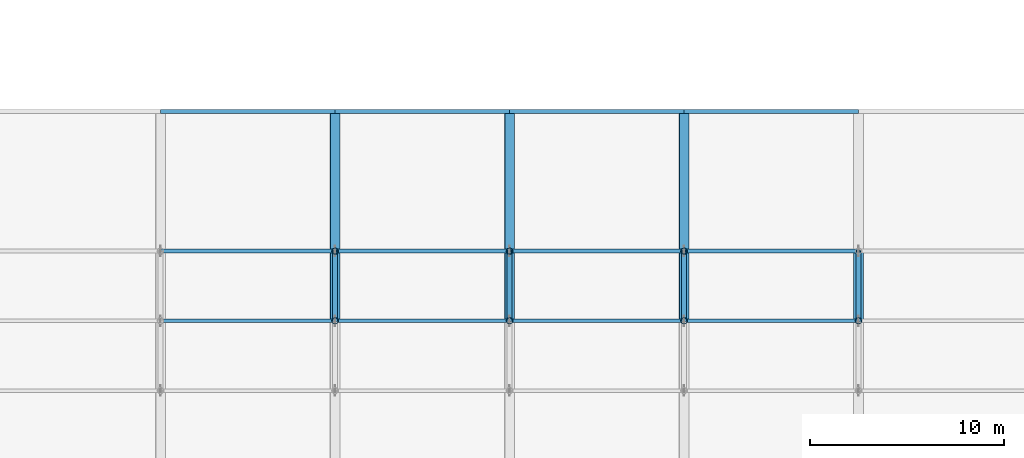
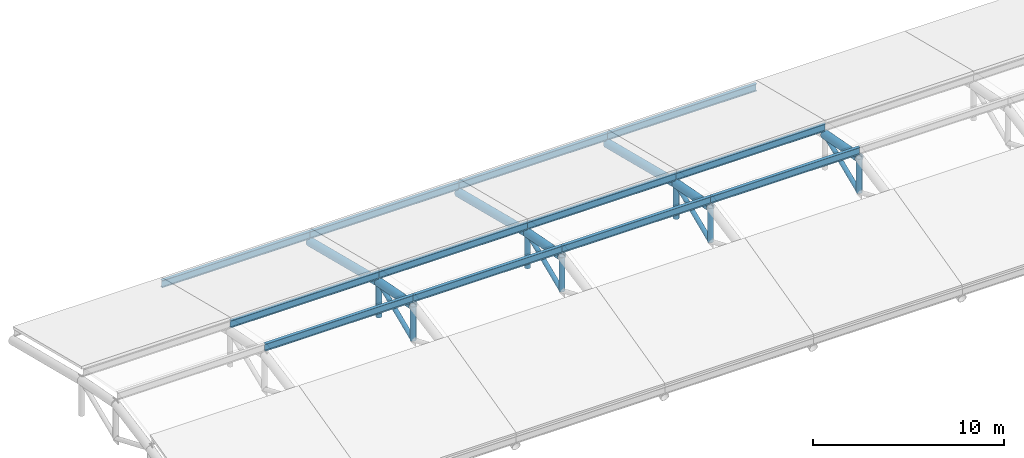
# One storey, part 39 of 52: 30 members.
"""IFC4 building model written with IfcOpenShell, lengths in metres."""

from ifc_helpers import new_model, si_unit, direction, frame, origin, origin_2d, place, context, subcontext, project, spatial, hollow_circle, i_section, extrude, material, material_profile, profile_set, type_object, element, save


model = new_model("IFC4")

# Units and contexts
model_context = context("Model", 3, precision=1e-05, world=origin(), true_north=direction((0.0, 1.0)))
body_context = subcontext(model_context, "Body", "Model", "MODEL_VIEW")
ifc_project = project(units=[si_unit("LENGTHUNIT", "METRE"), si_unit("AREAUNIT", "SQUARE_METRE"), si_unit("VOLUMEUNIT", "CUBIC_METRE"), si_unit("PLANEANGLEUNIT", "RADIAN"), si_unit("MASSUNIT", "GRAM", prefix="KILO")], contexts=[model_context])

# Site, building, storey
site_placement = place(None, origin())
site = spatial("IfcSite", under=ifc_project, at=site_placement, CompositionType="ELEMENT")
building_placement = place(site_placement, origin())
building = spatial("IfcBuilding", under=site, at=building_placement, Name="Celestram Park Convention Centre", CompositionType="ELEMENT")
storey_placement = place(building_placement, frame((0.0, 0.0, 24.300048828125)))
storey = spatial("IfcBuildingStorey", under=building, at=storey_placement, Name="L05", CompositionType="ELEMENT", Elevation=24.300048828125)

# Members
ifc_material_1 = material(Name="Steel ASTM A500 Grade C", Category="steel")
ifc_material_profile_1 = material_profile(ifc_material_1, hollow_circle(Radius=0.136474609375, WallThickness=0.010009765625, at=origin_2d()), Name="CHS273X10")
ifc_profile_set_1 = profile_set([ifc_material_profile_1], Name="Steel ASTM A500 Grade C")
member_type_1 = type_object("IfcMemberType", Name="STR-BRC-CHS273", PredefinedType="BRACE", material=ifc_profile_set_1)
for number, where, z_axis, x_axis, name in (
    (1, (171.0, 140.39990234375, 0.2138671875), (0.0, 0.921654198179, 0.388012292303), (-1.0, 0.0, 0.0), "V2 arch web diagonal"),
    (2, (180.0, 140.39990234375, 0.2138671875), (0.0, 0.921654198179, 0.388012292303), (-1.0, 0.0, 0.0), "V2 arch web diagonal"),
    (3, (189.0, 140.39990234375, 0.2138671875), (0.0, 0.921654198179, 0.388012292303), (-1.0, 0.0, 0.0), "V2 arch web diagonal"),
    (4, (198.0, 140.39990234375, 0.2138671875), (0.0, 0.921654198179, 0.388012292303), (-1.0, 0.0, 0.0), "V2 arch web diagonal"),
):
    element("IfcMember", number, at=place(storey_placement, frame(where, z_axis=z_axis, x_axis=x_axis)), inside=storey, type_object=member_type_1, Name=name, PredefinedType="BRACE", context=body_context, shape_type="SweptSolid", body=[
        extrude(hollow_circle(Radius=0.136474609375, WallThickness=0.010009765625, at=origin_2d()), origin(), (0.0, 0.0, 1.0), 3.906005859375),
    ])
ifc_material_profile_2 = material_profile(ifc_material_1, hollow_circle(Radius=0.25390625, WallThickness=0.01611328125, at=origin_2d()), Name="CHS508X16")
ifc_profile_set_2 = profile_set([ifc_material_profile_2], Name="Steel ASTM A500 Grade C")
member_type_2 = type_object("IfcMemberType", Name="STR-CHD-CHS508", PredefinedType="CHORD", material=ifc_profile_set_2)
member_1_placement = place(storey_placement, frame((171.0, 140.39990234375, 2.4140625), z_axis=(0.0, 0.982396830529, -0.186805961807), x_axis=(-1.0, 0.0, 0.0)))
element("IfcMember", 5, at=member_1_placement, inside=storey, type_object=member_type_2, Name="V2 arch top chord", PredefinedType="CHORD", context=body_context, shape_type="SweptSolid", body=[
    extrude(hollow_circle(Radius=0.25390625, WallThickness=0.01611328125, at=origin_2d()), origin(), (0.0, 0.0, 1.0), 3.66455078125),
])
member_2_placement = place(storey_placement, frame((171.0, 144.0, 1.7294921875), z_axis=(0.0, 0.970179256757, -0.242388551212), x_axis=(-1.0, 0.0, 0.0)))
element("IfcMember", 6, at=member_2_placement, inside=storey, type_object=member_type_2, Name="V2 arch top chord", PredefinedType="CHORD", context=body_context, shape_type="SweptSolid", body=[
    extrude(hollow_circle(Radius=0.25390625, WallThickness=0.01611328125, at=origin_2d()), origin(), (0.0, 0.0, 1.0), 7.421142578125),
])
member_3_placement = place(storey_placement, frame((180.0, 140.39990234375, 2.4140625), z_axis=(0.0, 0.982396830529, -0.186805961807), x_axis=(-1.0, 0.0, 0.0)))
element("IfcMember", 7, at=member_3_placement, inside=storey, type_object=member_type_2, Name="V2 arch top chord", PredefinedType="CHORD", context=body_context, shape_type="SweptSolid", body=[
    extrude(hollow_circle(Radius=0.25390625, WallThickness=0.01611328125, at=origin_2d()), origin(), (0.0, 0.0, 1.0), 3.66455078125),
])
member_4_placement = place(storey_placement, frame((180.0, 144.0, 1.7294921875), z_axis=(0.0, 0.970179256757, -0.242388551212), x_axis=(-1.0, 0.0, 0.0)))
element("IfcMember", 8, at=member_4_placement, inside=storey, type_object=member_type_2, Name="V2 arch top chord", PredefinedType="CHORD", context=body_context, shape_type="SweptSolid", body=[
    extrude(hollow_circle(Radius=0.25390625, WallThickness=0.01611328125, at=origin_2d()), origin(), (0.0, 0.0, 1.0), 7.421142578125),
])
member_5_placement = place(storey_placement, frame((189.0, 140.39990234375, 2.4140625), z_axis=(0.0, 0.982396830529, -0.186805961807), x_axis=(-1.0, 0.0, 0.0)))
element("IfcMember", 9, at=member_5_placement, inside=storey, type_object=member_type_2, Name="V2 arch top chord", PredefinedType="CHORD", context=body_context, shape_type="SweptSolid", body=[
    extrude(hollow_circle(Radius=0.25390625, WallThickness=0.01611328125, at=origin_2d()), origin(), (0.0, 0.0, 1.0), 3.66455078125),
])
member_6_placement = place(storey_placement, frame((189.0, 144.0, 1.7294921875), z_axis=(0.0, 0.970179256757, -0.242388551212), x_axis=(-1.0, 0.0, 0.0)))
element("IfcMember", 10, at=member_6_placement, inside=storey, type_object=member_type_2, Name="V2 arch top chord", PredefinedType="CHORD", context=body_context, shape_type="SweptSolid", body=[
    extrude(hollow_circle(Radius=0.25390625, WallThickness=0.01611328125, at=origin_2d()), origin(), (0.0, 0.0, 1.0), 7.421142578125),
])
member_7_placement = place(storey_placement, frame((198.0, 140.39990234375, 2.4140625), z_axis=(0.0, 0.982396830529, -0.186805961807), x_axis=(-1.0, 0.0, 0.0)))
element("IfcMember", 11, at=member_7_placement, inside=storey, type_object=member_type_2, Name="V2 arch top chord", PredefinedType="CHORD", context=body_context, shape_type="SweptSolid", body=[
    extrude(hollow_circle(Radius=0.25390625, WallThickness=0.01611328125, at=origin_2d()), origin(), (0.0, 0.0, 1.0), 3.66455078125),
])
ifc_material_2 = material(Name="Steel ASTM A992 Grade 50", Category="steel")
ifc_material_profile_3 = material_profile(ifc_material_2, i_section(OverallWidth=0.19091796875, OverallDepth=0.45703125, WebThickness=0.009033203125, FlangeThickness=0.014404296875, at=origin_2d()), Name="W18X50")
ifc_profile_set_3 = profile_set([ifc_material_profile_3], Name="Steel ASTM A992 Grade 50")
member_type_3 = type_object("IfcMemberType", Name="STR-RFT-W18X50", PredefinedType="RAFTER", material=ifc_profile_set_3)
for number, where, z_axis, x_axis, name in (
    (12, (162.0, 140.39990234375, 2.896484375), (1.0, 0.0, 0.0), (0.0, 1.0, 0.0), "V2 roof purlin"),
    (13, (162.0, 144.0, 2.2119140625), (1.0, 0.0, 0.0), (0.0, 1.0, 0.0), "V2 roof purlin"),
    (14, (162.0, 151.199951171875, 0.4130859375), (1.0, 0.0, 0.0), (0.0, 1.0, 0.0), "V2 roof purlin"),
    (15, (171.0, 140.39990234375, 2.896484375), (1.0, 0.0, 0.0), (0.0, 1.0, 0.0), "V2 roof purlin"),
    (16, (171.0, 144.0, 2.2119140625), (1.0, 0.0, 0.0), (0.0, 1.0, 0.0), "V2 roof purlin"),
    (17, (171.0, 151.199951171875, 0.4130859375), (1.0, 0.0, 0.0), (0.0, 1.0, 0.0), "V2 roof purlin"),
    (18, (180.0, 140.39990234375, 2.896484375), (1.0, 0.0, 0.0), (0.0, 1.0, 0.0), "V2 roof purlin"),
    (19, (180.0, 144.0, 2.2119140625), (1.0, 0.0, 0.0), (0.0, 1.0, 0.0), "V2 roof purlin"),
    (20, (180.0, 151.199951171875, 0.4130859375), (1.0, 0.0, 0.0), (0.0, 1.0, 0.0), "V2 roof purlin"),
    (21, (189.0, 140.39990234375, 2.896484375), (1.0, 0.0, 0.0), (0.0, 1.0, 0.0), "V2 roof purlin"),
    (22, (189.0, 144.0, 2.2119140625), (1.0, 0.0, 0.0), (0.0, 1.0, 0.0), "V2 roof purlin"),
    (23, (189.0, 151.199951171875, 0.4130859375), (1.0, 0.0, 0.0), (0.0, 1.0, 0.0), "V2 roof purlin"),
):
    element("IfcMember", number, at=place(storey_placement, frame(where, z_axis=z_axis, x_axis=x_axis)), inside=storey, type_object=member_type_3, Name=name, PredefinedType="RAFTER", context=body_context, shape_type="SweptSolid", body=[
        extrude(i_section(OverallWidth=0.19091796875, OverallDepth=0.45703125, WebThickness=0.009033203125, FlangeThickness=0.014404296875, at=origin_2d()), origin(), (0.0, 0.0, 1.0), 9.0),
    ])
ifc_material_profile_4 = material_profile(ifc_material_1, hollow_circle(Radius=0.162109375, WallThickness=0.011962890625, at=origin_2d()), Name="CHS324X12")
ifc_profile_set_4 = profile_set([ifc_material_profile_4], Name="Steel ASTM A500 Grade C")
member_type_4 = type_object("IfcMemberType", Name="STR-STR-CHS324", PredefinedType="STRUT", material=ifc_profile_set_4)
member_8_placement = place(storey_placement, frame((171.0, 140.39990234375, 0.2138671875), z_axis=(0.0, 0.0, 1.0), x_axis=(1.0, 0.0, 0.0)))
element("IfcMember", 24, at=member_8_placement, inside=storey, type_object=member_type_4, Name="V2 arch vertical strut", PredefinedType="STRUT", context=body_context, shape_type="SweptSolid", body=[
    extrude(hollow_circle(Radius=0.162109375, WallThickness=0.011962890625, at=origin_2d()), origin(), (0.0, 0.0, 1.0), 2.2001953125),
])
member_9_placement = place(storey_placement, frame((171.0, 144.0, -0.470458984375), z_axis=(0.0, 0.0, 1.0), x_axis=(1.0, 0.0, 0.0)))
element("IfcMember", 25, at=member_9_placement, inside=storey, type_object=member_type_4, Name="V2 arch vertical strut", PredefinedType="STRUT", context=body_context, shape_type="SweptSolid", body=[
    extrude(hollow_circle(Radius=0.162109375, WallThickness=0.011962890625, at=origin_2d()), origin(), (0.0, 0.0, 1.0), 2.199951171875),
])
member_10_placement = place(storey_placement, frame((180.0, 140.39990234375, 0.2138671875), z_axis=(0.0, 0.0, 1.0), x_axis=(1.0, 0.0, 0.0)))
element("IfcMember", 26, at=member_10_placement, inside=storey, type_object=member_type_4, Name="V2 arch vertical strut", PredefinedType="STRUT", context=body_context, shape_type="SweptSolid", body=[
    extrude(hollow_circle(Radius=0.162109375, WallThickness=0.011962890625, at=origin_2d()), origin(), (0.0, 0.0, 1.0), 2.2001953125),
])
member_11_placement = place(storey_placement, frame((180.0, 144.0, -0.470458984375), z_axis=(0.0, 0.0, 1.0), x_axis=(1.0, 0.0, 0.0)))
element("IfcMember", 27, at=member_11_placement, inside=storey, type_object=member_type_4, Name="V2 arch vertical strut", PredefinedType="STRUT", context=body_context, shape_type="SweptSolid", body=[
    extrude(hollow_circle(Radius=0.162109375, WallThickness=0.011962890625, at=origin_2d()), origin(), (0.0, 0.0, 1.0), 2.199951171875),
])
member_12_placement = place(storey_placement, frame((189.0, 140.39990234375, 0.2138671875), z_axis=(0.0, 0.0, 1.0), x_axis=(1.0, 0.0, 0.0)))
element("IfcMember", 28, at=member_12_placement, inside=storey, type_object=member_type_4, Name="V2 arch vertical strut", PredefinedType="STRUT", context=body_context, shape_type="SweptSolid", body=[
    extrude(hollow_circle(Radius=0.162109375, WallThickness=0.011962890625, at=origin_2d()), origin(), (0.0, 0.0, 1.0), 2.2001953125),
])
member_13_placement = place(storey_placement, frame((189.0, 144.0, -0.470458984375), z_axis=(0.0, 0.0, 1.0), x_axis=(1.0, 0.0, 0.0)))
element("IfcMember", 29, at=member_13_placement, inside=storey, type_object=member_type_4, Name="V2 arch vertical strut", PredefinedType="STRUT", context=body_context, shape_type="SweptSolid", body=[
    extrude(hollow_circle(Radius=0.162109375, WallThickness=0.011962890625, at=origin_2d()), origin(), (0.0, 0.0, 1.0), 2.199951171875),
])
member_14_placement = place(storey_placement, frame((198.0, 140.39990234375, 0.2138671875), z_axis=(0.0, 0.0, 1.0), x_axis=(1.0, 0.0, 0.0)))
element("IfcMember", 30, at=member_14_placement, inside=storey, type_object=member_type_4, Name="V2 arch vertical strut", PredefinedType="STRUT", context=body_context, shape_type="SweptSolid", body=[
    extrude(hollow_circle(Radius=0.162109375, WallThickness=0.011962890625, at=origin_2d()), origin(), (0.0, 0.0, 1.0), 2.2001953125),
])

save(model, "model.ifc")
